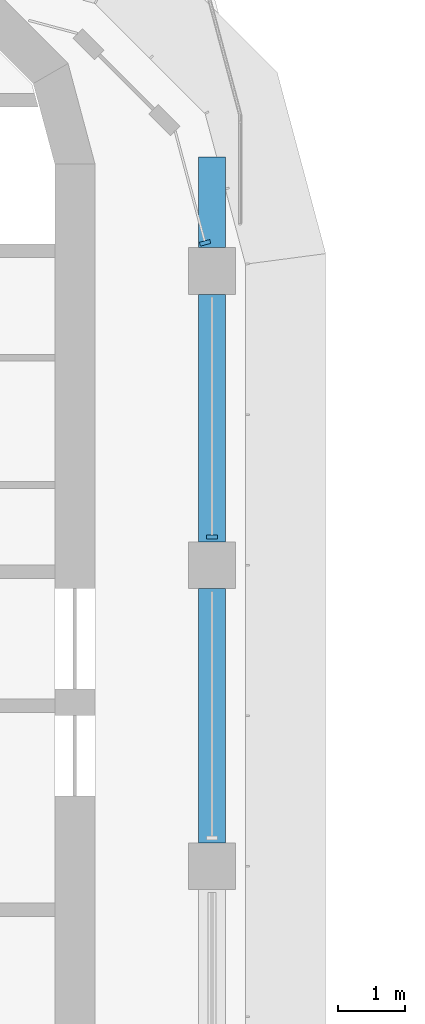
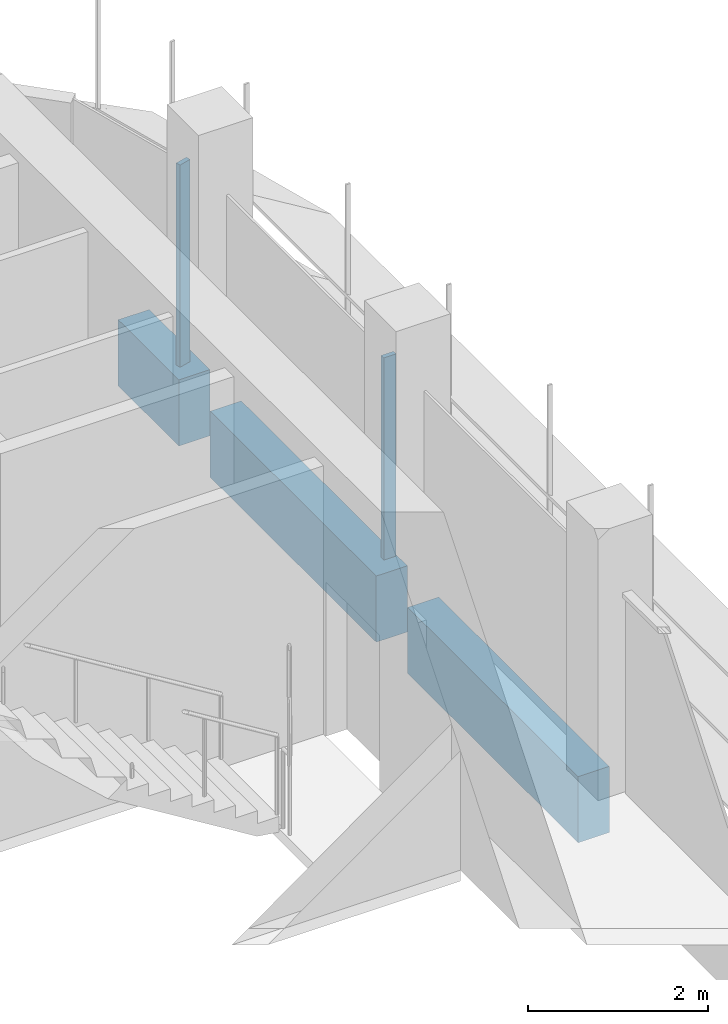
# One storey, part 10 of 19: 3 beams, 2 members, 2 elements without a shape of their own.
"""IFC4 building model written with IfcOpenShell, lengths in metres."""

from ifc_helpers import new_model, si_unit, direction, frame, origin, origin_2d, place, context, subcontext, project, spatial, polyline, rectangle, outline, extrude, source, transform, mapped, material, material_profile, profile_set, type_object, element, aggregate, save


model = new_model("IFC4")

# Units and contexts
model_context = context("Model", 3, precision=1e-05, world=origin(), true_north=direction((0.0, 1.0)))
body_context = subcontext(model_context, "Body", "Model", "MODEL_VIEW")
ifc_project = project(units=[si_unit("LENGTHUNIT", "METRE"), si_unit("AREAUNIT", "SQUARE_METRE"), si_unit("VOLUMEUNIT", "CUBIC_METRE"), si_unit("PLANEANGLEUNIT", "RADIAN"), si_unit("MASSUNIT", "GRAM", prefix="KILO")], contexts=[model_context])

# Site, building, storey
site_placement = place(None, origin())
site = spatial("IfcSite", under=ifc_project, at=site_placement, CompositionType="ELEMENT")
building_placement = place(site_placement, origin())
building = spatial("IfcBuilding", under=site, at=building_placement, Name="Zarbagh Exchange Tower", CompositionType="ELEMENT")
storey_placement = place(building_placement, frame((0.0, 0.0, 218.199951171875)))
storey = spatial("IfcBuildingStorey", under=building, at=storey_placement, Name="L53", CompositionType="ELEMENT", Elevation=218.199951171875)

# Beams
ifc_material_1 = material(Name="Concrete C50/60", Category="concrete")
ifc_material_profile = material_profile(ifc_material_1, rectangle(XDim=0.39990234375, YDim=0.89990234375, at=origin_2d()), Name="RC spandrel beam 400 x 900 C50/60")
ifc_profile_set = profile_set([ifc_material_profile], Name="Concrete C50/60")
beam_type = type_object("IfcBeamType", Name="RC spandrel beam 400 x 900 C50/60", PredefinedType="SPANDREL", material=ifc_profile_set)
beam_1_placement = place(storey_placement, frame((6.25, 24.300048828125, -0.599853515625), z_axis=(0.0, -1.0, 0.0), x_axis=(1.0, 0.0, 0.0)))
element("IfcBeam", 1, at=beam_1_placement, inside=storey, type_object=beam_type, Name="RC spandrel beam", PredefinedType="SPANDREL", context=body_context, shape_type="SweptSolid", body=[
    extrude(rectangle(XDim=0.39990234375, YDim=0.89990234375, at=origin_2d()), origin(), (0.0, 0.0, 1.0), 3.699951171875),
])
beam_2_placement = place(storey_placement, frame((6.25, 19.89990234375, -0.599853515625), z_axis=(0.0, -1.0, 0.0), x_axis=(1.0, 0.0, 0.0)))
element("IfcBeam", 2, at=beam_2_placement, inside=storey, type_object=beam_type, Name="RC spandrel beam", PredefinedType="SPANDREL", context=body_context, shape_type="SweptSolid", body=[
    extrude(rectangle(XDim=0.39990234375, YDim=0.89990234375, at=origin_2d()), origin(), (0.0, 0.0, 1.0), 3.7998046875),
])
beam_3_placement = place(storey_placement, frame((6.25, 26.35009765625, -0.599853515625), z_axis=(0.0, -1.0, 0.0), x_axis=(1.0, 0.0, 0.0)))
element("IfcBeam", 3, at=beam_3_placement, inside=storey, type_object=beam_type, Name="RC spandrel beam", PredefinedType="SPANDREL", context=body_context, shape_type="SweptSolid", body=[
    extrude(rectangle(XDim=0.39990234375, YDim=0.89990234375, at=origin_2d()), origin(), (0.0, 0.0, 1.0), 1.35009765625),
])

# Curtain wall, member
ifc_material_2 = material(Name="Anodised aluminium frame and glazing", Category="aluminium")
curtain_wall_type = type_object("IfcCurtainWallType", Name="CWB Ribbon glazing, upper zones", PredefinedType="NOTDEFINED", material=ifc_material_2)
curtain_wall_1_placement = place(storey_placement, origin())
curtain_wall_1 = element("IfcCurtainWall", 4, at=curtain_wall_1_placement, inside=storey, type_object=curtain_wall_type, Name="CWB67 curtain wall", PredefinedType="NOTDEFINED")
ifc_material_3 = material(Name="Anodised aluminium frame", Category="aluminium")
member_type = type_object("IfcMemberType", Name="MUB Mullion, anodised aluminium frame", PredefinedType="MULLION", material=ifc_material_3)
shared_shape = source(origin(), body_context, "Body", "SweptSolid", [
    extrude(outline(polyline([(0.0, -0.080078125), (0.06005859375, -0.080078125), (0.06005859375, 0.080078125), (0.0, 0.080078125), (0.0, -0.080078125)])), origin(), (0.0, 0.0, 1.0), 2.75),
])
placement = place(storey_placement, origin())
member_1 = element("IfcMember", 5, at=placement, type_object=member_type, Name="CWB67 mullion 3.1", PredefinedType="MULLION", context=body_context, shape_type="MappedRepresentation", body=[
    mapped(shared_shape, transform((6.25, 20.64013671875, 0.0), x_axis=(0.0, 1.0, 0.0), y_axis=(-1.0, 0.0, 0.0), z_axis=(0.0, 0.0, 1.0))),
])
aggregate(curtain_wall_1, [member_1])

curtain_wall_2_placement = place(storey_placement, origin())
curtain_wall_2 = element("IfcCurtainWall", 6, at=curtain_wall_2_placement, inside=storey, type_object=curtain_wall_type, Name="CWB68 curtain wall", PredefinedType="NOTDEFINED")
member_2 = element("IfcMember", 7, at=placement, type_object=member_type, Name="CWB68 mullion 1.1", PredefinedType="MULLION", context=body_context, shape_type="MappedRepresentation", body=[
    mapped(shared_shape, transform((6.154541015625, 25.0400390625, 0.0), x_axis=(-0.258824779902, 0.965924289636, 0.0), y_axis=(-0.965924289636, -0.258824779902, 0.0), z_axis=(0.0, 0.0, 1.0))),
])
aggregate(curtain_wall_2, [member_2])

save(model, "model.ifc")
